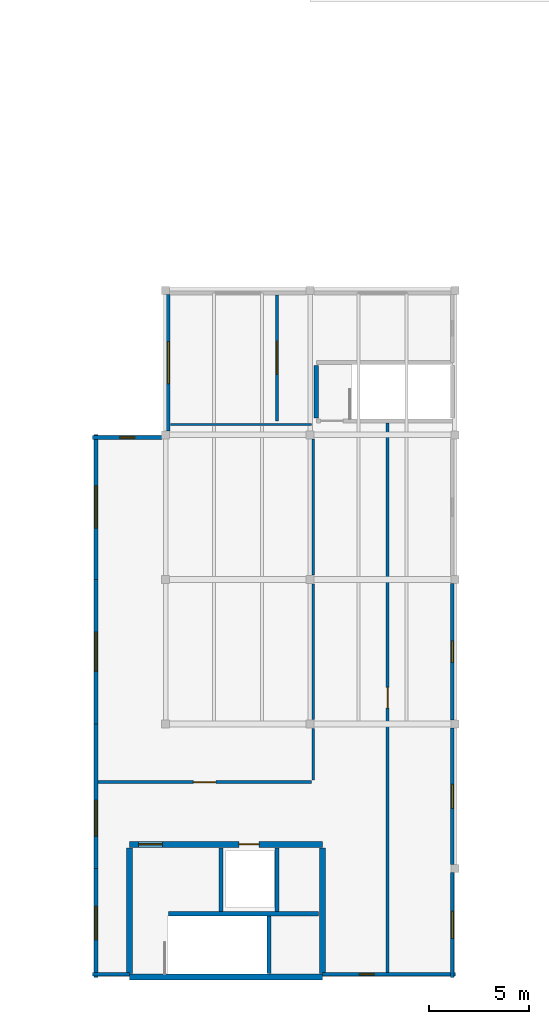
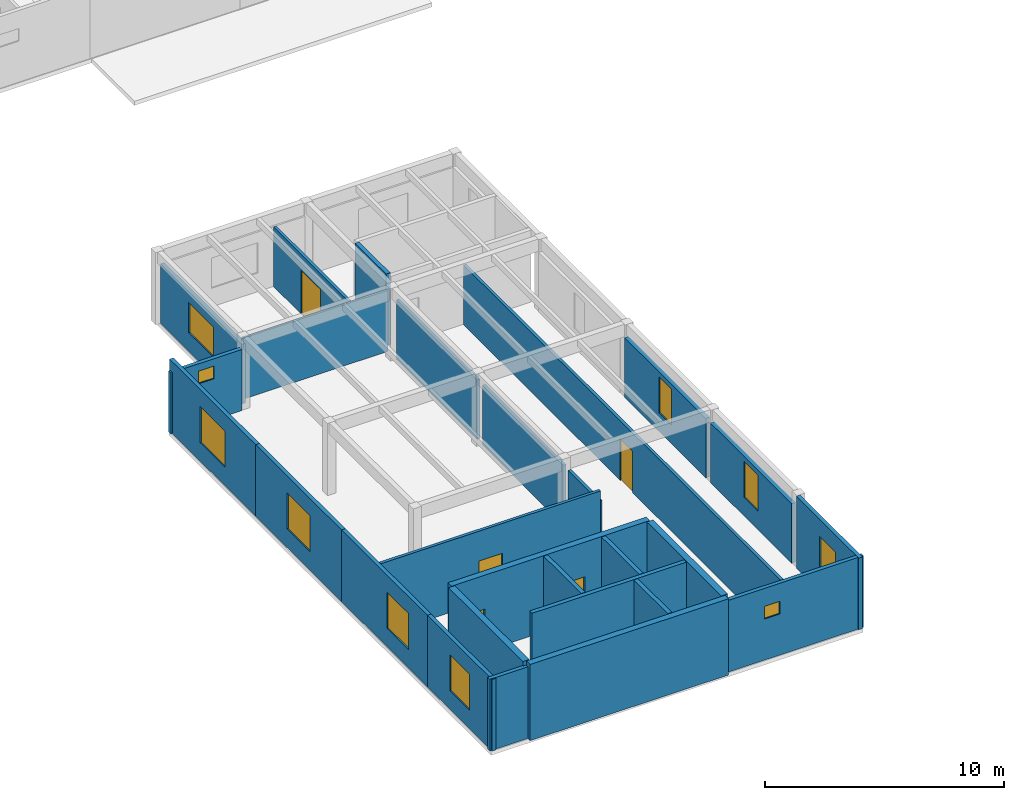
# One storey, part 2 of 12: 27 walls, 10 windows, 5 doors, 15 openings.
"""IFC4 building model written with IfcOpenShell, lengths in metres."""

from ifc_helpers import new_model, si_unit, direction, frame, frame_2d, origin, place, context, subcontext, project, spatial, rectangle, extrude, material, layer, layer_set, type_object, element, fill, save


model = new_model("IFC4")

# Units and contexts
model_context = context("Model", 3, precision=1e-05, world=origin(), true_north=direction((0.0, 1.0)))
body_context = subcontext(model_context, "Body", "Model", "MODEL_VIEW")
ifc_project = project(units=[si_unit("LENGTHUNIT", "METRE"), si_unit("AREAUNIT", "SQUARE_METRE"), si_unit("VOLUMEUNIT", "CUBIC_METRE"), si_unit("PLANEANGLEUNIT", "RADIAN"), si_unit("MASSUNIT", "GRAM", prefix="KILO")], contexts=[model_context])

# Site, building, storey
site_placement = place(None, origin())
site = spatial("IfcSite", under=ifc_project, at=site_placement, CompositionType="ELEMENT")
building_placement = place(site_placement, origin())
building = spatial("IfcBuilding", under=site, at=building_placement, Name="Bramvelor Terrace Health Centre", CompositionType="ELEMENT")
storey_placement = place(building_placement, frame((0.0, 0.0, 17.699951171875)))
storey = spatial("IfcBuildingStorey", under=building, at=storey_placement, Name="L05", CompositionType="ELEMENT", Elevation=17.699951171875)

# Wall
ifc_material_1 = material(Name="Acoustic clinical partition board", Category="gypsum")
ifc_layer_1 = layer(ifc_material_1, 0.110107421875)
ifc_layer_set_1 = layer_set([ifc_layer_1], Name="Acoustic clinical partition board")
wall_type_1 = type_object("IfcWallType", Name="WL-CLN-110", PredefinedType="PARTITIONING", material=ifc_layer_set_1)
wall_1_placement = place(storey_placement, frame((7.4326171875, 58.1201171875, 0.0), z_axis=(0.0, 0.0, 1.0), x_axis=(1.0, 0.0, 0.0)))
element("IfcWall", 1, at=wall_1_placement, inside=storey, type_object=wall_type_1, Name="L05 Interior Partition 348", PredefinedType="PARTITIONING", context=body_context, shape_type="SweptSolid", body=[
    extrude(rectangle(XDim=7.02734375, YDim=0.110107421875, at=frame_2d((3.513671875, 0.0))), origin(), (0.0, 0.0, 1.0), 3.130126953125),
])

# Wall, opening, door
ifc_material_2 = material(Name="Fire-rated gypsum and mineral wool", Category="gypsum")
ifc_layer_2 = layer(ifc_material_2, 0.139892578125)
ifc_layer_set_2 = layer_set([ifc_layer_2], Name="Fire-rated gypsum and mineral wool")
wall_type_2 = type_object("IfcWallType", Name="WL-COR-140", PredefinedType="PARTITIONING", material=ifc_layer_set_2)
wall_2_placement = place(storey_placement, frame((14.4599609375, 40.31005859375, 0.0), z_axis=(0.0, 0.0, 1.0), x_axis=(-1.0, 0.0, 0.0)))
wall_2 = element("IfcWall", 2, at=wall_2_placement, inside=storey, type_object=wall_type_2, Name="L05 Interior Partition 347", PredefinedType="PARTITIONING", context=body_context, shape_type="SweptSolid", body=[
    extrude(rectangle(XDim=10.62744140625, YDim=0.139892578125, at=frame_2d((5.313720703125, 0.0))), origin(), (0.0, 0.0, 1.0), 3.670166015625),
])
opening_1_placement = place(wall_2_placement, frame((4.75390625, 0.0, 0.0)))
opening_1 = element("IfcOpeningElement", 3, at=opening_1_placement, cuts=wall_2, Name="Opening FD-06", PredefinedType="OPENING", context=body_context, shape_type="SweptSolid", body=[
    extrude(rectangle(XDim=1.1201171875, YDim=2.139892578125, at=frame_2d((0.56005859375, 1.06982421875))), frame((0.0, 0.079833984375, 0.0), z_axis=(0.0, -1.0, 0.0), x_axis=(1.0, 0.0, 0.0)), (0.0, 0.0, 1.0), 0.159912109375),
])
ifc_material_3 = material(Name="Fire-rated steel and vision panel", Category="steel")
door_type_1 = type_object("IfcDoorType", Name="DR-FD60-112", OperationType="NOTDEFINED", PredefinedType="DOOR", material=ifc_material_3)
door_1_placement = place(opening_1_placement, origin())
door_1 = element("IfcDoor", 4, at=door_1_placement, inside=storey, type_object=door_type_1, Name="L05 Community Health Worker Seminar Room Fire Door", OperationType="SINGLE_SWING_LEFT", OverallHeight=2.139892578125, OverallWidth=1.1201171875, PredefinedType="DOOR", context=body_context, shape_type="SweptSolid", body=[
    extrude(rectangle(XDim=1.1201171875, YDim=2.139892578125, at=frame_2d((0.56005859375, 1.06982421875))), frame((0.0, 0.02490234375, 0.0), z_axis=(0.0, -1.0, 0.0), x_axis=(1.0, 0.0, 0.0)), (0.0, 0.0, 1.0), 0.050048828125),
])
fill(opening_1, door_1)

# Walls
for number, where, z_axis, x_axis, name in (
    (5, (14.550048828125, 57.385009765625, 0.0), (0.0, 0.0, 1.0), (0.0, -1.0, 0.0), "L05 Interior Partition 349"),
    (6, (14.550048828125, 50.18505859375, 0.0), (0.0, 0.0, 1.0), (0.0, -1.0, 0.0), "L05 Interior Partition 350"),
):
    element("IfcWall", number, at=place(storey_placement, frame(where, z_axis=z_axis, x_axis=x_axis)), inside=storey, type_object=wall_type_2, Name=name, PredefinedType="PARTITIONING", context=body_context, shape_type="SweptSolid", body=[
        extrude(rectangle(XDim=6.77001953125, YDim=0.139892578125, at=frame_2d((3.385009765625, 0.0))), origin(), (0.0, 0.0, 1.0), 3.050048828125),
    ])
wall_3_placement = place(storey_placement, frame((14.550048828125, 42.985107421875, 0.0), z_axis=(0.0, 0.0, 1.0), x_axis=(0.0, -1.0, 0.0)))
element("IfcWall", 7, at=wall_3_placement, inside=storey, type_object=wall_type_2, Name="L05 Interior Partition 351", PredefinedType="PARTITIONING", context=body_context, shape_type="SweptSolid", body=[
    extrude(rectangle(XDim=2.585205078125, YDim=0.139892578125, at=frame_2d((1.29248046875, 0.0))), origin(), (0.0, 0.0, 1.0), 3.050048828125),
])

# Wall, opening, door
wall_4_placement = place(storey_placement, frame((18.25, 30.83251953125, 0.0), z_axis=(0.0, 0.0, 1.0), x_axis=(7.1392875e-05, 0.999999997452, 0.0)))
wall_4 = element("IfcWall", 8, at=wall_4_placement, inside=storey, type_object=wall_type_2, Name="L05 Interior Partition 352", PredefinedType="PARTITIONING", context=body_context, shape_type="SweptSolid", body=[
    extrude(rectangle(XDim=27.357421875, YDim=0.139892578125, at=frame_2d((13.6787109375, 0.0))), origin(), (0.0, 0.0, 1.0), 3.050048828125),
])
opening_2_placement = place(wall_4_placement, frame((13.15869140625, 0.0, 0.0)))
opening_2 = element("IfcOpeningElement", 9, at=opening_2_placement, cuts=wall_4, Name="Opening FD-07", PredefinedType="OPENING", context=body_context, shape_type="SweptSolid", body=[
    extrude(rectangle(XDim=1.0400390625, YDim=2.1201171875, at=frame_2d((0.52001953125, 1.06005859375))), frame((0.0, 0.079833984375, 0.0), z_axis=(0.0, -1.0, 0.0), x_axis=(1.0, 0.0, 0.0)), (0.0, 0.0, 1.0), 0.159912109375),
])
ifc_material_4 = material(Name="Fire-rated steel and vision panel", Category="steel")
door_type_2 = type_object("IfcDoorType", Name="DR-FD60-104", OperationType="NOTDEFINED", PredefinedType="DOOR", material=ifc_material_4)
door_2_placement = place(opening_2_placement, origin())
door_2 = element("IfcDoor", 10, at=door_2_placement, inside=storey, type_object=door_type_2, Name="L05 Clinical Care Navigation Studio Fire Door", OperationType="SINGLE_SWING_RIGHT", OverallHeight=2.1201171875, OverallWidth=1.0400390625, PredefinedType="DOOR", context=body_context, shape_type="SweptSolid", body=[
    extrude(rectangle(XDim=1.0400390625, YDim=2.1201171875, at=frame_2d((0.52001953125, 1.06005859375))), frame((0.0, 0.02490234375, 0.0), z_axis=(0.0, -1.0, 0.0), x_axis=(1.0, 0.0, 0.0)), (0.0, 0.0, 1.0), 0.050048828125),
])
fill(opening_2, door_2)

wall_5_placement = place(storey_placement, frame((12.75, 64.5673828125, 0.0), z_axis=(0.0, 0.0, 1.0), x_axis=(0.0, -1.0, 0.0)))
wall_5 = element("IfcWall", 11, at=wall_5_placement, inside=storey, type_object=wall_type_2, Name="L05 Interior Partition 356", PredefinedType="PARTITIONING", context=body_context, shape_type="SweptSolid", body=[
    extrude(rectangle(XDim=6.267333984375, YDim=0.139892578125, at=frame_2d((3.1337890625, 0.0))), origin(), (0.0, 0.0, 1.0), 3.050048828125),
])
opening_3_placement = place(wall_5_placement, frame((2.313720703125, 0.0, 0.0)))
opening_3 = element("IfcOpeningElement", 12, at=opening_3_placement, cuts=wall_5, Name="Opening FD-09", PredefinedType="OPENING", context=body_context, shape_type="SweptSolid", body=[
    extrude(rectangle(XDim=1.639892578125, YDim=2.239990234375, at=frame_2d((0.81982421875, 1.1201171875))), frame((0.0, 0.079833984375, 0.0), z_axis=(0.0, -1.0, 0.0), x_axis=(1.0, 0.0, 0.0)), (0.0, 0.0, 1.0), 0.159912109375),
])
ifc_material_5 = material(Name="Fire-rated steel and vision panel", Category="steel")
door_type_3 = type_object("IfcDoorType", Name="DR-FD60-164", OperationType="DOUBLE_DOOR_SINGLE_SWING", PredefinedType="DOOR", material=ifc_material_5)
door_3_placement = place(opening_3_placement, origin())
door_3 = element("IfcDoor", 13, at=door_3_placement, inside=storey, type_object=door_type_3, Name="L05 Adolescent Mental Health Group Room Fire Door", OperationType="DOUBLE_DOOR_SINGLE_SWING", OverallHeight=2.239990234375, OverallWidth=1.639892578125, PredefinedType="DOOR", context=body_context, shape_type="SweptSolid", body=[
    extrude(rectangle(XDim=1.639892578125, YDim=2.239990234375, at=frame_2d((0.81982421875, 1.1201171875))), frame((0.0, 0.02490234375, 0.0), z_axis=(0.0, -1.0, 0.0), x_axis=(1.0, 0.0, 0.0)), (0.0, 0.0, 1.0), 0.050048828125),
])
fill(opening_3, door_3)

# Walls
ifc_material_6 = material(Name="Concrete C40/50", Category="concrete")
ifc_layer_3 = layer(ifc_material_6, 0.199951171875)
ifc_layer_set_3 = layer_set([ifc_layer_3], Name="Concrete C40/50")
wall_type_3 = type_object("IfcWallType", Name="WL-CORE-200", PredefinedType="SHEAR", material=ifc_layer_set_3)
wall_6_placement = place(storey_placement, frame((7.35009765625, 33.75, 0.0), z_axis=(0.0, 0.0, 1.0), x_axis=(1.0, 0.0, 0.0)))
element("IfcWall", 14, at=wall_6_placement, inside=storey, type_object=wall_type_3, Name="C3 L05 Core Shear Wall", PredefinedType="SHEAR", context=body_context, shape_type="SweptSolid", body=[
    extrude(rectangle(XDim=7.469970703125, YDim=0.199951171875, at=frame_2d((3.73486328125, 0.0))), origin(), (0.0, 0.0, 1.0), 3.900146484375),
])
wall_7_placement = place(storey_placement, frame((12.35498046875, 30.780029296875, 0.0), z_axis=(0.0, 0.0, 1.0), x_axis=(0.0, 1.0, 0.0)))
element("IfcWall", 15, at=wall_7_placement, inside=storey, type_object=wall_type_3, Name="C3 L05 Core Shear Wall", PredefinedType="SHEAR", context=body_context, shape_type="SweptSolid", body=[
    extrude(rectangle(XDim=2.849853515625, YDim=0.199951171875, at=frame_2d((1.4248046875, 0.0))), origin(), (0.0, 0.0, 1.0), 3.900146484375),
])
for number, where, z_axis, x_axis, name in (
    (16, (9.949951171875, 33.8701171875, 0.0), (0.0, 0.0, 1.0), (0.0, 1.0, 0.0), "C3 L05 Core Shear Wall"),
    (17, (12.75, 33.8701171875, 0.0), (0.0, 0.0, 1.0), (0.0, 1.0, 0.0), "C3 L05 Lift Divider Wall"),
):
    element("IfcWall", number, at=place(storey_placement, frame(where, z_axis=z_axis, x_axis=x_axis)), inside=storey, type_object=wall_type_3, Name=name, PredefinedType="SHEAR", context=body_context, shape_type="SweptSolid", body=[
        extrude(rectangle(XDim=3.14990234375, YDim=0.199951171875, at=frame_2d((1.574951171875, 0.0))), origin(), (0.0, 0.0, 1.0), 3.900146484375),
    ])
wall_8_placement = place(storey_placement, frame((14.699951171875, 58.449951171875, 0.0), z_axis=(0.0, 0.0, 1.0), x_axis=(0.0, 1.0, 0.0)))
element("IfcWall", 18, at=wall_8_placement, inside=storey, type_object=wall_type_3, Name="ST-6 L05 Stair Shaft Wall", PredefinedType="SHEAR", context=body_context, shape_type="SweptSolid", body=[
    extrude(rectangle(XDim=2.60009765625, YDim=0.199951171875, at=frame_2d((1.300048828125, 0.0))), origin(), (0.0, 0.0, 1.0), 3.675048828125),
])
ifc_material_7 = material(Name="Concrete C40/50", Category="concrete")
ifc_layer_4 = layer(ifc_material_7, 0.300048828125)
ifc_layer_set_4 = layer_set([ifc_layer_4], Name="Concrete C40/50")
wall_type_4 = type_object("IfcWallType", Name="WL-CORE-300", PredefinedType="SHEAR", material=ifc_layer_set_4)
wall_9_placement = place(storey_placement, frame((5.39990234375, 30.60009765625, 0.0), z_axis=(0.0, 0.0, 1.0), x_axis=(1.0, 0.0, 0.0)))
element("IfcWall", 19, at=wall_9_placement, inside=storey, type_object=wall_type_4, Name="C3 L05 Core Shear Wall", PredefinedType="SHEAR", context=body_context, shape_type="SweptSolid", body=[
    extrude(rectangle(XDim=9.60009765625, YDim=0.300048828125, at=frame_2d((4.800048828125, 0.0))), origin(), (0.0, 0.0, 1.0), 3.900146484375),
])

# Wall, openings, doors
wall_10_placement = place(storey_placement, frame((5.39990234375, 37.199951171875, 0.0), z_axis=(0.0, 0.0, 1.0), x_axis=(1.0, 0.0, 0.0)))
wall_10 = element("IfcWall", 20, at=wall_10_placement, inside=storey, type_object=wall_type_4, Name="C3 L05 Core Shear Wall", PredefinedType="SHEAR", context=body_context, shape_type="SweptSolid", body=[
    extrude(rectangle(XDim=9.60009765625, YDim=0.300048828125, at=frame_2d((4.800048828125, 0.0))), origin(), (0.0, 0.0, 1.0), 3.900146484375),
])
opening_4_placement = place(wall_10_placement, frame((0.449951171875, 0.0, 0.0)))
opening_4 = element("IfcOpeningElement", 21, at=opening_4_placement, cuts=wall_10, Name="Opening FD-02", PredefinedType="OPENING", context=body_context, shape_type="SweptSolid", body=[
    extrude(rectangle(XDim=1.179931640625, YDim=2.159912109375, at=frame_2d((0.58984375, 1.080078125))), frame((0.0, 0.159912109375, 0.0), z_axis=(0.0, -1.0, 0.0), x_axis=(1.0, 0.0, 0.0)), (0.0, 0.0, 1.0), 0.320068359375),
])
opening_5_placement = place(wall_10_placement, frame((5.43994140625, 0.0, 0.0)))
opening_5 = element("IfcOpeningElement", 22, at=opening_5_placement, cuts=wall_10, Name="Opening LD-2", PredefinedType="OPENING", context=body_context, shape_type="SweptSolid", body=[
    extrude(rectangle(XDim=1.02001953125, YDim=2.1201171875, at=frame_2d((0.510009765625, 1.06005859375))), frame((0.0, 0.159912109375, 0.0), z_axis=(0.0, -1.0, 0.0), x_axis=(1.0, 0.0, 0.0)), (0.0, 0.0, 1.0), 0.320068359375),
])
ifc_material_8 = material(Name="Fire-rated steel and vision panel", Category="steel")
door_type_4 = type_object("IfcDoorType", Name="DR-FD90-118", OperationType="NOTDEFINED", PredefinedType="DOOR", material=ifc_material_8)
door_4_placement = place(opening_4_placement, origin())
door_4 = element("IfcDoor", 23, at=door_4_placement, inside=storey, type_object=door_type_4, Name="C3 L05 Core Stair Fire Door", OperationType="SINGLE_SWING_LEFT", OverallHeight=2.159912109375, OverallWidth=1.179931640625, PredefinedType="DOOR", context=body_context, shape_type="SweptSolid", body=[
    extrude(rectangle(XDim=1.179931640625, YDim=2.159912109375, at=frame_2d((0.58984375, 1.080078125))), frame((0.0, 0.02490234375, 0.0), z_axis=(0.0, -1.0, 0.0), x_axis=(1.0, 0.0, 0.0)), (0.0, 0.0, 1.0), 0.050048828125),
])
fill(opening_4, door_4)
ifc_material_9 = material(Name="Brushed stainless steel 316", Category="steel")
door_type_5 = type_object("IfcDoorType", Name="DR-LIFT-PS102", OperationType="SLIDING_TO_LEFT", PredefinedType="DOOR", material=ifc_material_9)
door_5_placement = place(opening_5_placement, origin())
door_5 = element("IfcDoor", 24, at=door_5_placement, inside=storey, type_object=door_type_5, Name="Lift LP-03 L05 Sliding Landing Door", OperationType="SLIDING_TO_LEFT", OverallHeight=2.1201171875, OverallWidth=1.02001953125, PredefinedType="DOOR", context=body_context, shape_type="SweptSolid", body=[
    extrude(rectangle(XDim=1.02001953125, YDim=2.1201171875, at=frame_2d((0.510009765625, 1.06005859375))), frame((0.0, 0.02490234375, 0.0), z_axis=(0.0, -1.0, 0.0), x_axis=(1.0, 0.0, 0.0)), (0.0, 0.0, 1.0), 0.050048828125),
])
fill(opening_5, door_5)

# Walls
for number, where, z_axis, x_axis, name in (
    (25, (5.39990234375, 30.780029296875, 0.0), (0.0, 0.0, 1.0), (0.0, 1.0, 0.0), "C3 L05 Core Shear Wall"),
    (26, (15.0, 30.780029296875, 0.0), (0.0, 0.0, 1.0), (0.0, 1.0, 0.0), "C3 L05 Core Shear Wall"),
):
    element("IfcWall", number, at=place(storey_placement, frame(where, z_axis=z_axis, x_axis=x_axis)), inside=storey, type_object=wall_type_4, Name=name, PredefinedType="SHEAR", context=body_context, shape_type="SweptSolid", body=[
        extrude(rectangle(XDim=6.239990234375, YDim=0.300048828125, at=frame_2d((3.1201171875, 0.0))), origin(), (0.0, 0.0, 1.0), 3.900146484375),
    ])

# Wall, opening, window
ifc_material_10 = material(Name="Cross-laminated timber C24", Category="wood")
ifc_layer_5 = layer(ifc_material_10, 0.18505859375)
ifc_layer_set_5 = layer_set([ifc_layer_5], Name="Cross-laminated timber C24")
wall_type_5 = type_object("IfcWallType", Name="WL-EXT-CLT185", PredefinedType="SOLIDWALL", material=ifc_layer_set_5)
wall_11_placement = place(storey_placement, frame((7.330078125, 57.794921875, 0.0), z_axis=(0.0, 0.0, 1.0), x_axis=(0.0, 1.0, 0.0)))
wall_11 = element("IfcWall", 27, at=wall_11_placement, inside=storey, type_object=wall_type_5, Name="L05 Exterior Facade Wall 1", PredefinedType="SOLIDWALL", context=body_context, shape_type="SweptSolid", body=[
    extrude(rectangle(XDim=6.81005859375, YDim=0.18505859375, at=frame_2d((3.405029296875, 0.0))), origin(), (0.0, 0.0, 1.0), 3.050048828125),
])
opening_6_placement = place(wall_11_placement, frame((2.35498046875, 0.0, 0.949951171875)))
opening_6 = element("IfcOpeningElement", 28, at=opening_6_placement, cuts=wall_11, Name="Opening WN-46", PredefinedType="OPENING", context=body_context, shape_type="SweptSolid", body=[
    extrude(rectangle(XDim=2.10009765625, YDim=1.550048828125, at=frame_2d((1.050048828125, 0.77490234375))), frame((0.0, 0.1025390625, 0.0), z_axis=(0.0, -1.0, 0.0), x_axis=(1.0, 0.0, 0.0)), (0.0, 0.0, 1.0), 0.205078125),
])
ifc_material_11 = material(Name="Double low-E laminated glass", Category="glass")
window_type_1 = type_object("IfcWindowType", Name="WIN-EXT-46", PartitioningType="SINGLE_PANEL", PredefinedType="WINDOW", material=ifc_material_11)
window_1_placement = place(opening_6_placement, origin())
window_1 = element("IfcWindow", 29, at=window_1_placement, inside=storey, type_object=window_type_1, Name="L05 Scheduled Clinical Window 226", OverallHeight=1.550048828125, OverallWidth=2.10009765625, PartitioningType="SINGLE_PANEL", PredefinedType="WINDOW", context=body_context, shape_type="SweptSolid", body=[
    extrude(rectangle(XDim=2.10009765625, YDim=1.550048828125, at=frame_2d((1.050048828125, 0.77490234375))), frame((0.0, 0.030029296875, 0.0), z_axis=(0.0, -1.0, 0.0), x_axis=(1.0, 0.0, 0.0)), (0.0, 0.0, 1.0), 0.06005859375),
])
fill(opening_6, window_1)

wall_12_placement = place(storey_placement, frame((21.469970703125, 50.205078125, 0.0), z_axis=(0.0, 0.0, 1.0), x_axis=(0.0, -1.0, 0.0)))
wall_12 = element("IfcWall", 30, at=wall_12_placement, inside=storey, type_object=wall_type_5, Name="L05 Exterior Facade Wall 6", PredefinedType="SOLIDWALL", context=body_context, shape_type="SweptSolid", body=[
    extrude(rectangle(XDim=6.81005859375, YDim=0.18505859375, at=frame_2d((3.405029296875, 0.0))), origin(), (0.0, 0.0, 1.0), 3.050048828125),
])
opening_7_placement = place(wall_12_placement, frame((2.8798828125, 0.0, 0.949951171875)))
opening_7 = element("IfcOpeningElement", 31, at=opening_7_placement, cuts=wall_12, Name="Opening WN-51", PredefinedType="OPENING", context=body_context, shape_type="SweptSolid", body=[
    extrude(rectangle(XDim=1.050048828125, YDim=1.85009765625, at=frame_2d((0.52490234375, 0.925048828125))), frame((0.0, 0.1025390625, 0.0), z_axis=(0.0, -1.0, 0.0), x_axis=(1.0, 0.0, 0.0)), (0.0, 0.0, 1.0), 0.205078125),
])
ifc_material_12 = material(Name="Double low-E laminated glass", Category="glass")
window_type_2 = type_object("IfcWindowType", Name="WIN-EXT-51", PartitioningType="SINGLE_PANEL", PredefinedType="WINDOW", material=ifc_material_12)
window_2_placement = place(opening_7_placement, origin())
window_2 = element("IfcWindow", 32, at=window_2_placement, inside=storey, type_object=window_type_2, Name="L05 Scheduled Clinical Window 231", OverallHeight=1.85009765625, OverallWidth=1.050048828125, PartitioningType="SINGLE_PANEL", PredefinedType="WINDOW", context=body_context, shape_type="SweptSolid", body=[
    extrude(rectangle(XDim=1.050048828125, YDim=1.85009765625, at=frame_2d((0.52490234375, 0.925048828125))), frame((0.0, 0.030029296875, 0.0), z_axis=(0.0, -1.0, 0.0), x_axis=(1.0, 0.0, 0.0)), (0.0, 0.0, 1.0), 0.06005859375),
])
fill(opening_7, window_2)

wall_13_placement = place(storey_placement, frame((21.469970703125, 43.0048828125, 0.0), z_axis=(0.0, 0.0, 1.0), x_axis=(0.0, -1.0, 0.0)))
wall_13 = element("IfcWall", 33, at=wall_13_placement, inside=storey, type_object=wall_type_5, Name="L05 Exterior Facade Wall 7", PredefinedType="SOLIDWALL", context=body_context, shape_type="SweptSolid", body=[
    extrude(rectangle(XDim=6.809814453125, YDim=0.18505859375, at=frame_2d((3.40478515625, 0.0))), origin(), (0.0, 0.0, 1.0), 3.050048828125),
])
opening_8_placement = place(wall_13_placement, frame((2.804931640625, 0.0, 0.949951171875)))
opening_8 = element("IfcOpeningElement", 34, at=opening_8_placement, cuts=wall_13, Name="Opening WN-52", PredefinedType="OPENING", context=body_context, shape_type="SweptSolid", body=[
    extrude(rectangle(XDim=1.199951171875, YDim=1.85009765625, at=frame_2d((0.60009765625, 0.925048828125))), frame((0.0, 0.1025390625, 0.0), z_axis=(0.0, -1.0, 0.0), x_axis=(1.0, 0.0, 0.0)), (0.0, 0.0, 1.0), 0.205078125),
])
ifc_material_13 = material(Name="Double low-E laminated glass", Category="glass")
window_type_3 = type_object("IfcWindowType", Name="WIN-EXT-52", PartitioningType="SINGLE_PANEL", PredefinedType="WINDOW", material=ifc_material_13)
window_3_placement = place(opening_8_placement, origin())
window_3 = element("IfcWindow", 35, at=window_3_placement, inside=storey, type_object=window_type_3, Name="L05 Scheduled Clinical Window 232", OverallHeight=1.85009765625, OverallWidth=1.199951171875, PartitioningType="SINGLE_PANEL", PredefinedType="WINDOW", context=body_context, shape_type="SweptSolid", body=[
    extrude(rectangle(XDim=1.199951171875, YDim=1.85009765625, at=frame_2d((0.60009765625, 0.925048828125))), frame((0.0, 0.030029296875, 0.0), z_axis=(0.0, -1.0, 0.0), x_axis=(1.0, 0.0, 0.0)), (0.0, 0.0, 1.0), 0.06005859375),
])
fill(opening_8, window_3)

wall_14_placement = place(storey_placement, frame((21.469970703125, 35.804931640625, 0.0), z_axis=(0.0, 0.0, 1.0), x_axis=(0.0, -1.0, 0.0)))
wall_14 = element("IfcWall", 36, at=wall_14_placement, inside=storey, type_object=wall_type_5, Name="L05 Exterior Facade Wall 8", PredefinedType="SOLIDWALL", context=body_context, shape_type="SweptSolid", body=[
    extrude(rectangle(XDim=5.224853515625, YDim=0.18505859375, at=frame_2d((2.6123046875, 0.0))), origin(), (0.0, 0.0, 1.0), 3.670166015625),
])
opening_9_placement = place(wall_14_placement, frame((1.9375, 0.0, 0.949951171875)))
opening_9 = element("IfcOpeningElement", 37, at=opening_9_placement, cuts=wall_14, Name="Opening WN-53", PredefinedType="OPENING", context=body_context, shape_type="SweptSolid", body=[
    extrude(rectangle(XDim=1.35009765625, YDim=1.85009765625, at=frame_2d((0.675048828125, 0.925048828125))), frame((0.0, 0.1025390625, 0.0), z_axis=(0.0, -1.0, 0.0), x_axis=(1.0, 0.0, 0.0)), (0.0, 0.0, 1.0), 0.205078125),
])
ifc_material_14 = material(Name="Double low-E laminated glass", Category="glass")
window_type_4 = type_object("IfcWindowType", Name="WIN-EXT-53", PartitioningType="SINGLE_PANEL", PredefinedType="WINDOW", material=ifc_material_14)
window_4_placement = place(opening_9_placement, origin())
window_4 = element("IfcWindow", 38, at=window_4_placement, inside=storey, type_object=window_type_4, Name="L05 Scheduled Clinical Window 233", OverallHeight=1.85009765625, OverallWidth=1.35009765625, PartitioningType="SINGLE_PANEL", PredefinedType="WINDOW", context=body_context, shape_type="SweptSolid", body=[
    extrude(rectangle(XDim=1.35009765625, YDim=1.85009765625, at=frame_2d((0.675048828125, 0.925048828125))), frame((0.0, 0.030029296875, 0.0), z_axis=(0.0, -1.0, 0.0), x_axis=(1.0, 0.0, 0.0)), (0.0, 0.0, 1.0), 0.06005859375),
])
fill(opening_9, window_4)

wall_15_placement = place(storey_placement, frame((21.639892578125, 30.72998046875, 0.0), z_axis=(0.0, 0.0, 1.0), x_axis=(-1.0, 0.0, 0.0)))
wall_15 = element("IfcWall", 39, at=wall_15_placement, inside=storey, type_object=wall_type_5, Name="L05 Exterior Facade Wall 9", PredefinedType="SOLIDWALL", context=body_context, shape_type="SweptSolid", body=[
    extrude(rectangle(XDim=6.639892578125, YDim=0.18505859375, at=frame_2d((3.31982421875, 0.0))), origin(), (0.0, 0.0, 1.0), 3.670166015625),
])
opening_10_placement = place(wall_15_placement, frame((4.044921875, 0.0, 2.10009765625)))
opening_10 = element("IfcOpeningElement", 40, at=opening_10_placement, cuts=wall_15, Name="Opening WN-01", PredefinedType="OPENING", context=body_context, shape_type="SweptSolid", body=[
    extrude(rectangle(XDim=0.75, YDim=0.64990234375, at=frame_2d((0.375, 0.324951171875))), frame((0.0, 0.1025390625, 0.0), z_axis=(0.0, -1.0, 0.0), x_axis=(1.0, 0.0, 0.0)), (0.0, 0.0, 1.0), 0.205078125),
])
ifc_material_15 = material(Name="Double low-E laminated glass", Category="glass")
window_type_5 = type_object("IfcWindowType", Name="WIN-EXT-01", PartitioningType="SINGLE_PANEL", PredefinedType="WINDOW", material=ifc_material_15)
window_5_placement = place(opening_10_placement, origin())
window_5 = element("IfcWindow", 41, at=window_5_placement, inside=storey, type_object=window_type_5, Name="L05 Scheduled Clinical Window 234", OverallHeight=0.64990234375, OverallWidth=0.75, PartitioningType="SINGLE_PANEL", PredefinedType="WINDOW", context=body_context, shape_type="SweptSolid", body=[
    extrude(rectangle(XDim=0.75, YDim=0.64990234375, at=frame_2d((0.375, 0.324951171875))), frame((0.0, 0.030029296875, 0.0), z_axis=(0.0, -1.0, 0.0), x_axis=(1.0, 0.0, 0.0)), (0.0, 0.0, 1.0), 0.06005859375),
])
fill(opening_10, window_5)

# Wall
wall_16_placement = place(storey_placement, frame((5.39990234375, 30.72998046875, 0.0), z_axis=(0.0, 0.0, 1.0), x_axis=(-1.0, 0.0, 0.0)))
element("IfcWall", 42, at=wall_16_placement, inside=storey, type_object=wall_type_5, Name="L05 Exterior Facade Wall 10", PredefinedType="SOLIDWALL", context=body_context, shape_type="SweptSolid", body=[
    extrude(rectangle(XDim=1.83984375, YDim=0.18505859375, at=frame_2d((0.919921875, 0.0))), origin(), (0.0, 0.0, 1.0), 3.670166015625),
])

# Wall, opening, window
wall_17_placement = place(storey_placement, frame((3.72998046875, 30.580078125, 0.0), z_axis=(0.0, 0.0, 1.0), x_axis=(0.0, 1.0, 0.0)))
wall_17 = element("IfcWall", 43, at=wall_17_placement, inside=storey, type_object=wall_type_5, Name="L05 Exterior Facade Wall 11", PredefinedType="SOLIDWALL", context=body_context, shape_type="SweptSolid", body=[
    extrude(rectangle(XDim=5.419921875, YDim=0.18505859375, at=frame_2d((2.7099609375, 0.0))), origin(), (0.0, 0.0, 1.0), 3.670166015625),
])
opening_11_placement = place(wall_17_placement, frame((1.885009765625, 0.0, 0.949951171875)))
opening_11 = element("IfcOpeningElement", 44, at=opening_11_placement, cuts=wall_17, Name="Opening WN-55", PredefinedType="OPENING", context=body_context, shape_type="SweptSolid", body=[
    extrude(rectangle(XDim=1.64990234375, YDim=1.85009765625, at=frame_2d((0.824951171875, 0.925048828125))), frame((0.0, 0.1025390625, 0.0), z_axis=(0.0, -1.0, 0.0), x_axis=(1.0, 0.0, 0.0)), (0.0, 0.0, 1.0), 0.205078125),
])
ifc_material_16 = material(Name="Double low-E laminated glass", Category="glass")
window_type_6 = type_object("IfcWindowType", Name="WIN-EXT-55", PartitioningType="SINGLE_PANEL", PredefinedType="WINDOW", material=ifc_material_16)
window_6_placement = place(opening_11_placement, origin())
window_6 = element("IfcWindow", 45, at=window_6_placement, inside=storey, type_object=window_type_6, Name="L05 Scheduled Clinical Window 235", OverallHeight=1.85009765625, OverallWidth=1.64990234375, PartitioningType="SINGLE_PANEL", PredefinedType="WINDOW", context=body_context, shape_type="SweptSolid", body=[
    extrude(rectangle(XDim=1.64990234375, YDim=1.85009765625, at=frame_2d((0.824951171875, 0.925048828125))), frame((0.0, 0.030029296875, 0.0), z_axis=(0.0, -1.0, 0.0), x_axis=(1.0, 0.0, 0.0)), (0.0, 0.0, 1.0), 0.06005859375),
])
fill(opening_11, window_6)

wall_18_placement = place(storey_placement, frame((3.72998046875, 36.0, 0.0), z_axis=(0.0, 0.0, 1.0), x_axis=(0.0, 1.0, 0.0)))
wall_18 = element("IfcWall", 46, at=wall_18_placement, inside=storey, type_object=wall_type_5, Name="L05 Exterior Facade Wall 12", PredefinedType="SOLIDWALL", context=body_context, shape_type="SweptSolid", body=[
    extrude(rectangle(XDim=7.199951171875, YDim=0.18505859375, at=frame_2d((3.60009765625, 0.0))), origin(), (0.0, 0.0, 1.0), 3.670166015625),
])
opening_12_placement = place(wall_18_placement, frame((1.60009765625, 0.0, 0.949951171875)))
opening_12 = element("IfcOpeningElement", 47, at=opening_12_placement, cuts=wall_18, Name="Opening WN-56", PredefinedType="OPENING", context=body_context, shape_type="SweptSolid", body=[
    extrude(rectangle(XDim=1.800048828125, YDim=1.85009765625, at=frame_2d((0.89990234375, 0.925048828125))), frame((0.0, 0.1025390625, 0.0), z_axis=(0.0, -1.0, 0.0), x_axis=(1.0, 0.0, 0.0)), (0.0, 0.0, 1.0), 0.205078125),
])
ifc_material_17 = material(Name="Double low-E laminated glass", Category="glass")
window_type_7 = type_object("IfcWindowType", Name="WIN-EXT-56", PartitioningType="SINGLE_PANEL", PredefinedType="WINDOW", material=ifc_material_17)
window_7_placement = place(opening_12_placement, origin())
window_7 = element("IfcWindow", 48, at=window_7_placement, inside=storey, type_object=window_type_7, Name="L05 Scheduled Clinical Window 236", OverallHeight=1.85009765625, OverallWidth=1.800048828125, PartitioningType="SINGLE_PANEL", PredefinedType="WINDOW", context=body_context, shape_type="SweptSolid", body=[
    extrude(rectangle(XDim=1.800048828125, YDim=1.85009765625, at=frame_2d((0.89990234375, 0.925048828125))), frame((0.0, 0.030029296875, 0.0), z_axis=(0.0, -1.0, 0.0), x_axis=(1.0, 0.0, 0.0)), (0.0, 0.0, 1.0), 0.06005859375),
])
fill(opening_12, window_7)

wall_19_placement = place(storey_placement, frame((3.72998046875, 43.199951171875, 0.0), z_axis=(0.0, 0.0, 1.0), x_axis=(0.0, 1.0, 0.0)))
wall_19 = element("IfcWall", 49, at=wall_19_placement, inside=storey, type_object=wall_type_5, Name="L05 Exterior Facade Wall 13", PredefinedType="SOLIDWALL", context=body_context, shape_type="SweptSolid", body=[
    extrude(rectangle(XDim=7.199951171875, YDim=0.18505859375, at=frame_2d((3.60009765625, 0.0))), origin(), (0.0, 0.0, 1.0), 3.670166015625),
])
opening_13_placement = place(wall_19_placement, frame((2.625, 0.0, 0.949951171875)))
opening_13 = element("IfcOpeningElement", 50, at=opening_13_placement, cuts=wall_19, Name="Opening WN-57", PredefinedType="OPENING", context=body_context, shape_type="SweptSolid", body=[
    extrude(rectangle(XDim=1.949951171875, YDim=1.85009765625, at=frame_2d((0.97509765625, 0.925048828125))), frame((0.0, 0.1025390625, 0.0), z_axis=(0.0, -1.0, 0.0), x_axis=(1.0, 0.0, 0.0)), (0.0, 0.0, 1.0), 0.205078125),
])
ifc_material_18 = material(Name="Double low-E laminated glass", Category="glass")
window_type_8 = type_object("IfcWindowType", Name="WIN-EXT-57", PartitioningType="SINGLE_PANEL", PredefinedType="WINDOW", material=ifc_material_18)
window_8_placement = place(opening_13_placement, origin())
window_8 = element("IfcWindow", 51, at=window_8_placement, inside=storey, type_object=window_type_8, Name="L05 Scheduled Clinical Window 237", OverallHeight=1.85009765625, OverallWidth=1.949951171875, PartitioningType="SINGLE_PANEL", PredefinedType="WINDOW", context=body_context, shape_type="SweptSolid", body=[
    extrude(rectangle(XDim=1.949951171875, YDim=1.85009765625, at=frame_2d((0.97509765625, 0.925048828125))), frame((0.0, 0.030029296875, 0.0), z_axis=(0.0, -1.0, 0.0), x_axis=(1.0, 0.0, 0.0)), (0.0, 0.0, 1.0), 0.06005859375),
])
fill(opening_13, window_8)

wall_20_placement = place(storey_placement, frame((3.72998046875, 50.39990234375, 0.0), z_axis=(0.0, 0.0, 1.0), x_axis=(0.0, 1.0, 0.0)))
wall_20 = element("IfcWall", 52, at=wall_20_placement, inside=storey, type_object=wall_type_5, Name="L05 Exterior Facade Wall 14", PredefinedType="SOLIDWALL", context=body_context, shape_type="SweptSolid", body=[
    extrude(rectangle(XDim=7.22021484375, YDim=0.18505859375, at=frame_2d((3.610107421875, 0.0))), origin(), (0.0, 0.0, 1.0), 3.670166015625),
])
opening_14_placement = place(wall_20_placement, frame((2.56005859375, 0.0, 0.949951171875)))
opening_14 = element("IfcOpeningElement", 53, at=opening_14_placement, cuts=wall_20, Name="Opening WN-58", PredefinedType="OPENING", context=body_context, shape_type="SweptSolid", body=[
    extrude(rectangle(XDim=2.10009765625, YDim=1.85009765625, at=frame_2d((1.050048828125, 0.925048828125))), frame((0.0, 0.1025390625, 0.0), z_axis=(0.0, -1.0, 0.0), x_axis=(1.0, 0.0, 0.0)), (0.0, 0.0, 1.0), 0.205078125),
])
ifc_material_19 = material(Name="Double low-E laminated glass", Category="glass")
window_type_9 = type_object("IfcWindowType", Name="WIN-EXT-58", PartitioningType="SINGLE_PANEL", PredefinedType="WINDOW", material=ifc_material_19)
window_9_placement = place(opening_14_placement, origin())
window_9 = element("IfcWindow", 54, at=window_9_placement, inside=storey, type_object=window_type_9, Name="L05 Scheduled Clinical Window 238", OverallHeight=1.85009765625, OverallWidth=2.10009765625, PartitioningType="SINGLE_PANEL", PredefinedType="WINDOW", context=body_context, shape_type="SweptSolid", body=[
    extrude(rectangle(XDim=2.10009765625, YDim=1.85009765625, at=frame_2d((1.050048828125, 0.925048828125))), frame((0.0, 0.030029296875, 0.0), z_axis=(0.0, -1.0, 0.0), x_axis=(1.0, 0.0, 0.0)), (0.0, 0.0, 1.0), 0.06005859375),
])
fill(opening_14, window_9)

wall_21_placement = place(storey_placement, frame((3.56005859375, 57.469970703125, 0.0), z_axis=(0.0, 0.0, 1.0), x_axis=(1.0, 0.0, 0.0)))
wall_21 = element("IfcWall", 55, at=wall_21_placement, inside=storey, type_object=wall_type_5, Name="L05 Exterior Facade Wall 15", PredefinedType="SOLIDWALL", context=body_context, shape_type="SweptSolid", body=[
    extrude(rectangle(XDim=3.44482421875, YDim=0.18505859375, at=frame_2d((1.722412109375, 0.0))), origin(), (0.0, 0.0, 1.0), 3.130126953125),
])
opening_15_placement = place(wall_21_placement, frame((1.347412109375, 0.0, 2.10009765625)))
opening_15 = element("IfcOpeningElement", 56, at=opening_15_placement, cuts=wall_21, Name="Opening WN-01", PredefinedType="OPENING", context=body_context, shape_type="SweptSolid", body=[
    extrude(rectangle(XDim=0.75, YDim=0.64990234375, at=frame_2d((0.375, 0.324951171875))), frame((0.0, 0.1025390625, 0.0), z_axis=(0.0, -1.0, 0.0), x_axis=(1.0, 0.0, 0.0)), (0.0, 0.0, 1.0), 0.205078125),
])
window_10_placement = place(opening_15_placement, origin())
window_10 = element("IfcWindow", 57, at=window_10_placement, inside=storey, type_object=window_type_5, Name="L05 Scheduled Clinical Window 239", OverallHeight=0.64990234375, OverallWidth=0.75, PartitioningType="SINGLE_PANEL", PredefinedType="WINDOW", context=body_context, shape_type="SweptSolid", body=[
    extrude(rectangle(XDim=0.75, YDim=0.64990234375, at=frame_2d((0.375, 0.324951171875))), frame((0.0, 0.030029296875, 0.0), z_axis=(0.0, -1.0, 0.0), x_axis=(1.0, 0.0, 0.0)), (0.0, 0.0, 1.0), 0.06005859375),
])
fill(opening_15, window_10)

save(model, "model.ifc")
